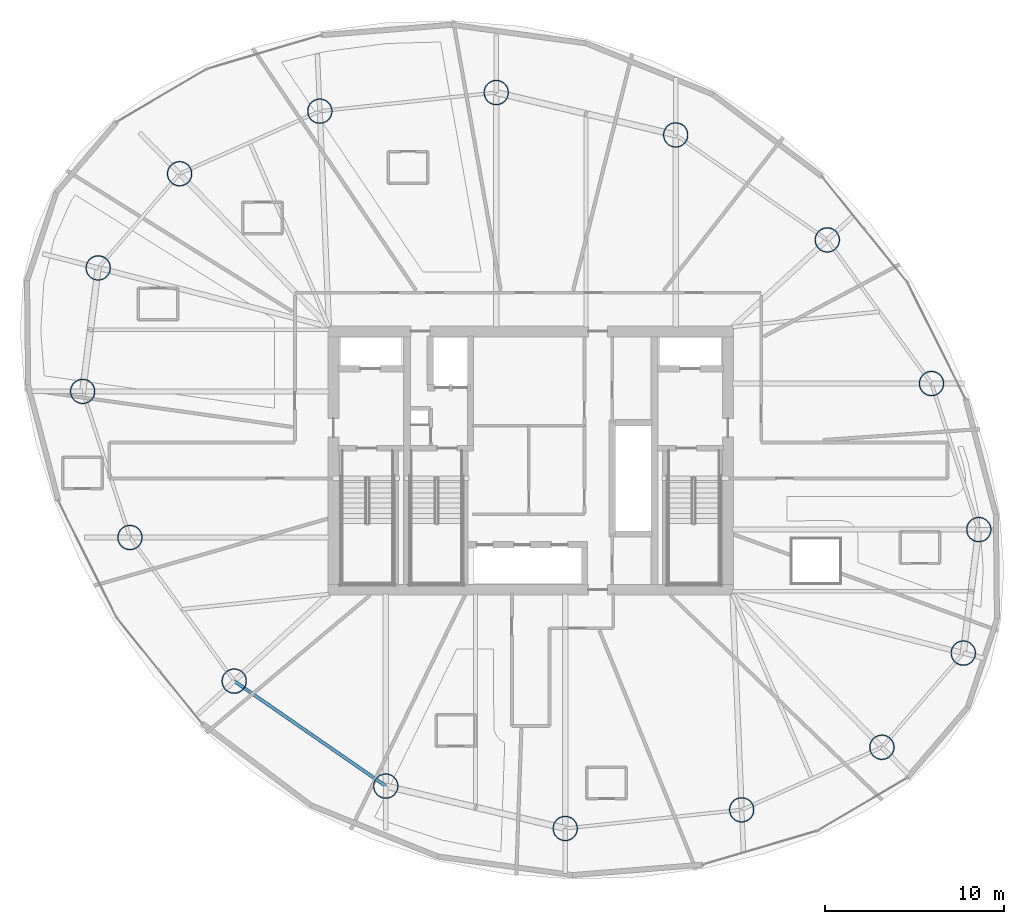
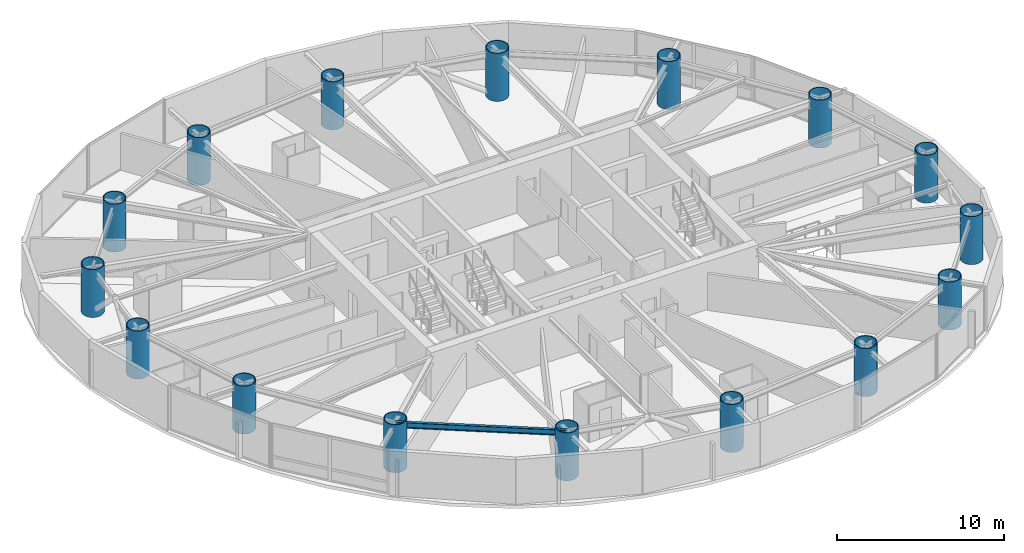
# One storey, part 1 of 24: 16 columns, 1 beam.
"""IFC4 building model written with IfcOpenShell, lengths in metres."""

from ifc_helpers import new_model, si_unit, direction, frame, origin, origin_2d, place, context, subcontext, project, spatial, hollow_circle, i_section, extrude, material, material_profile, profile_set, type_object, element, save


model = new_model("IFC4")

# Units and contexts
model_context = context("Model", 3, precision=1e-05, world=origin(), true_north=direction((0.0, 1.0)))
body_context = subcontext(model_context, "Body", "Model", "MODEL_VIEW")
ifc_project = project(units=[si_unit("LENGTHUNIT", "METRE"), si_unit("AREAUNIT", "SQUARE_METRE"), si_unit("VOLUMEUNIT", "CUBIC_METRE"), si_unit("PLANEANGLEUNIT", "RADIAN"), si_unit("MASSUNIT", "GRAM", prefix="KILO")], contexts=[model_context])

# Site, building, storey
site_placement = place(None, origin())
site = spatial("IfcSite", under=ifc_project, at=site_placement, CompositionType="ELEMENT")
building_placement = place(site_placement, origin())
building = spatial("IfcBuilding", under=site, at=building_placement, Name="Bramvorn Convention Spire", CompositionType="ELEMENT")
storey_placement = place(building_placement, frame((0.0, 0.0, 148.300048828125)))
storey = spatial("IfcBuildingStorey", under=building, at=storey_placement, Name="L37", CompositionType="ELEMENT", Elevation=148.300048828125)

# Columns
ifc_material = material(Name="Steel CSA G40.21 Grade 350 (350W)", Category="steel")
ifc_material_profile_1 = material_profile(ifc_material, hollow_circle(Radius=0.699951171875, WallThickness=0.054931640625, at=origin_2d()))
ifc_profile_set_1 = profile_set([ifc_material_profile_1], Name="Steel CSA G40.21 Grade 350 (350W) - CFT1400X55")
column_type = type_object("IfcColumnType", Name="COL-CFT1400X55", PredefinedType="COLUMN", material=ifc_profile_set_1)
for number, where, z_axis, x_axis, name in (
    (1, (62.11767578125, 15.26220703125, 0.0), (0.0, 0.0, 1.0), (1.0, 0.0, 0.0), "L37 composite CFT mega-column MC01"),
    (2, (62.983642578125, 22.148193359375, 0.0), (0.0, 0.0, 1.0), (1.0, 0.0, 0.0), "L37 composite CFT mega-column MC02"),
    (3, (60.345703125, 30.293212890625, 0.0), (0.0, 0.0, 1.0), (1.0, 0.0, 0.0), "L37 composite CFT mega-column MC03"),
    (4, (54.534912109375, 38.299072265625, 0.0), (0.0, 0.0, 1.0), (1.0, 0.0, 0.0), "L37 composite CFT mega-column MC04"),
    (5, (46.082763671875, 44.154052734375, 0.0), (0.0, 0.0, 1.0), (1.0, 0.0, 0.0), "L37 composite CFT mega-column MC05"),
    (6, (36.075927734375, 46.517333984375, 0.0), (0.0, 0.0, 1.0), (1.0, 0.0, 0.0), "L37 composite CFT mega-column MC06"),
    (7, (26.23828125, 45.478759765625, 0.0), (0.0, 0.0, 1.0), (1.0, 0.0, 0.0), "L37 composite CFT mega-column MC07"),
    (8, (18.420166015625, 41.9892578125, 0.0), (0.0, 0.0, 1.0), (1.0, 0.0, 0.0), "L37 composite CFT mega-column MC08"),
    (9, (13.88232421875, 36.73779296875, 0.0), (0.0, 0.0, 1.0), (1.0, 0.0, 0.0), "L37 composite CFT mega-column MC09"),
    (10, (13.016357421875, 29.851806640625, 0.0), (0.0, 0.0, 1.0), (1.0, 0.0, 0.0), "L37 composite CFT mega-column MC10"),
    (11, (15.654296875, 21.706787109375, 0.0), (0.0, 0.0, 1.0), (1.0, 0.0, 0.0), "L37 composite CFT mega-column MC11"),
    (12, (21.465087890625, 13.700927734375, 0.0), (0.0, 0.0, 1.0), (1.0, 0.0, 0.0), "L37 composite CFT mega-column MC12"),
    (13, (29.917236328125, 7.845947265625, 0.0), (0.0, 0.0, 1.0), (1.0, 0.0, 0.0), "L37 composite CFT mega-column MC13"),
    (14, (39.924072265625, 5.482666015625, 0.0), (0.0, 0.0, 1.0), (1.0, 0.0, 0.0), "L37 composite CFT mega-column MC14"),
    (15, (49.76171875, 6.521240234375, 0.0), (0.0, 0.0, 1.0), (1.0, 0.0, 0.0), "L37 composite CFT mega-column MC15"),
    (16, (57.579833984375, 10.0107421875, 0.0), (0.0, 0.0, 1.0), (1.0, 0.0, 0.0), "L37 composite CFT mega-column MC16"),
):
    element("IfcColumn", number, at=place(storey_placement, frame(where, z_axis=z_axis, x_axis=x_axis)), inside=storey, type_object=column_type, Name=name, PredefinedType="COLUMN", context=body_context, shape_type="SweptSolid", body=[
        extrude(hollow_circle(Radius=0.699951171875, WallThickness=0.054931640625, at=origin_2d()), origin(), (0.0, 0.0, 1.0), 3.5),
    ])

# Beam
ifc_material_profile_2 = material_profile(ifc_material, i_section(OverallWidth=0.180908203125, OverallDepth=0.4169921875, WebThickness=0.010986328125, FlangeThickness=0.018310546875, FilletRadius=0.01611328125, at=origin_2d()))
ifc_profile_set_2 = profile_set([ifc_material_profile_2], Name="Steel CSA G40.21 Grade 350 (350W) - W410X85")
beam_type = type_object("IfcBeamType", Name="BM-W410X85", PredefinedType="JOIST", material=ifc_profile_set_2)
beam_placement = place(storey_placement, frame((21.465087890625, 13.700927734375, 3.051513671875), z_axis=(0.822033166673, -0.569439613032, 0.0), x_axis=(0.569439613032, 0.822033166673, 0.0)))
element("IfcBeam", 17, at=beam_placement, inside=storey, type_object=beam_type, Name="L37 mega-column ring beam 12", PredefinedType="JOIST", context=body_context, shape_type="SweptSolid", body=[
    extrude(i_section(OverallWidth=0.180908203125, OverallDepth=0.4169921875, WebThickness=0.010986328125, FlangeThickness=0.018310546875, FilletRadius=0.01611328125, at=origin_2d()), origin(), (0.0, 0.0, 1.0), 10.281982421875),
])

save(model, "model.ifc")
